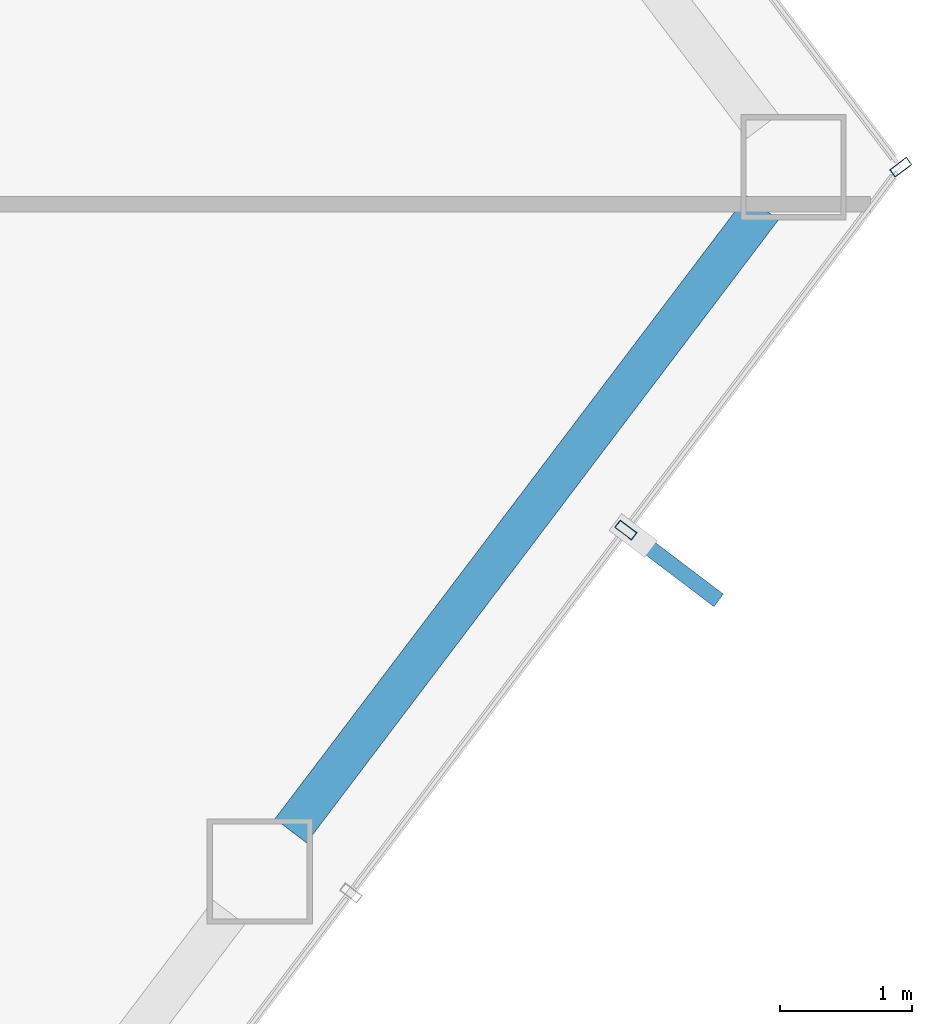
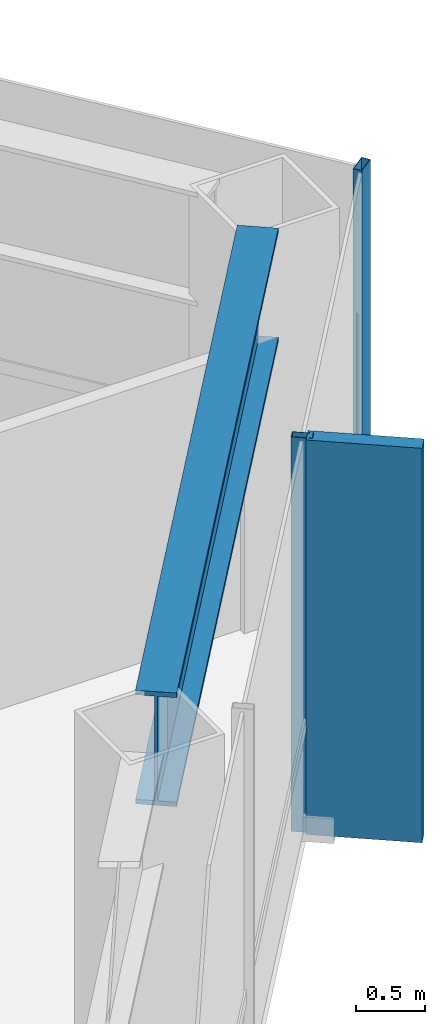
# One storey, part 21 of 28: 3 members, 1 beam, 2 elements without a shape of their own.
"""IFC4 building model written with IfcOpenShell, lengths in metres."""

from ifc_helpers import new_model, si_unit, direction, frame, origin, origin_2d, place, context, subcontext, project, spatial, rectangle, hollow_rectangle, i_section, extrude, material, layer, layer_set, material_profile, profile_set, type_object, element, aggregate, save


model = new_model("IFC4")

# Units and contexts
model_context = context("Model", 3, precision=1e-05, world=origin(), true_north=direction((0.0, 1.0)))
body_context = subcontext(model_context, "Body", "Model", "MODEL_VIEW")
ifc_project = project(units=[si_unit("LENGTHUNIT", "METRE"), si_unit("AREAUNIT", "SQUARE_METRE"), si_unit("VOLUMEUNIT", "CUBIC_METRE"), si_unit("PLANEANGLEUNIT", "RADIAN"), si_unit("MASSUNIT", "GRAM", prefix="KILO")], contexts=[model_context])

# Site, building, storey
site_placement = place(None, origin())
site = spatial("IfcSite", under=ifc_project, at=site_placement, CompositionType="ELEMENT")
building_placement = place(site_placement, origin())
building = spatial("IfcBuilding", under=site, at=building_placement, Name="Zarrinselat Tower", CompositionType="ELEMENT")
storey_placement = place(building_placement, frame((0.0, 0.0, 157.080078125)))
storey = spatial("IfcBuildingStorey", under=building, at=storey_placement, Name="L38", CompositionType="ELEMENT", Elevation=157.080078125)

# Beam
ifc_material_1 = material(Name="Steel S460M", Category="steel")
ifc_material_profile_1 = material_profile(ifc_material_1, i_section(OverallWidth=0.302001953125, OverallDepth=1.008056640625, WebThickness=0.02099609375, FlangeThickness=0.0400390625, at=origin_2d()), Name="HEM 1000")
ifc_profile_set_1 = profile_set([ifc_material_profile_1], Name="Steel S460M")
beam_type = type_object("IfcBeamType", Name="BM-HEM1000", PredefinedType="BEAM", material=ifc_profile_set_1)
beam_placement = place(storey_placement, frame((58.34619140625, 34.741943359375, 2.995849609375), z_axis=(0.603860062149, 0.797090349547, 0.0), x_axis=(-0.797090349547, 0.603860062149, 0.0)))
element("IfcBeam", 1, at=beam_placement, inside=storey, type_object=beam_type, Name="L38 Perimeter Spandrel Girder SP14", PredefinedType="BEAM", context=body_context, shape_type="SweptSolid", body=[
    extrude(i_section(OverallWidth=0.302001953125, OverallDepth=1.008056640625, WebThickness=0.02099609375, FlangeThickness=0.0400390625, at=origin_2d()), origin(), (0.0, 0.0, 1.0), 5.939453125),
])

# Curtain wall, member
ifc_material_2 = material(Name="Extruded Aluminium Alloy EN AW-6063 T6", Category="aluminium")
ifc_layer = layer(ifc_material_2, 0.175048828125)
ifc_layer_set = layer_set([ifc_layer], Name="Extruded Aluminium Alloy EN AW-6063 T6")
curtain_wall_type = type_object("IfcCurtainWallType", Name="CWS-HTL", PredefinedType="NOTDEFINED", material=ifc_layer_set)
curtain_wall_1_placement = place(storey_placement, origin())
curtain_wall_1 = element("IfcCurtainWall", 2, at=curtain_wall_1_placement, inside=storey, type_object=curtain_wall_type, Name="L38 Unitised Curtain Wall CW-L38-E04", PredefinedType="NOTDEFINED")
ifc_material_3 = material(Name="Extruded Aluminium Alloy EN AW-6063 T6", Category="aluminium")
ifc_material_profile_2 = material_profile(ifc_material_3, hollow_rectangle(XDim=0.070068359375, YDim=0.159912109375, WallThickness=0.00390625, at=origin_2d()), Name="RHS 160x70x4")
ifc_profile_set_2 = profile_set([ifc_material_profile_2], Name="Extruded Aluminium Alloy EN AW-6063 T6")
member_type_1 = type_object("IfcMemberType", Name="MEM-CW-MUL2", PredefinedType="MULLION", material=ifc_profile_set_2)
member_1_placement = place(storey_placement, frame((62.982666015625, 39.78564453125, 0.0), z_axis=(0.0, 0.0, 1.0), x_axis=(0.603856343425, -0.797093166766, 0.0)))
member_1 = element("IfcMember", 3, at=member_1_placement, type_object=member_type_1, Name="CW-L38-E04 Mullion 3", PredefinedType="MULLION", context=body_context, shape_type="SweptSolid", body=[
    extrude(hollow_rectangle(XDim=0.070068359375, YDim=0.159912109375, WallThickness=0.00390625, at=origin_2d()), origin(), (0.0, 0.0, 1.0), 3.5),
])
aggregate(curtain_wall_1, [member_1])

# Curtain wall, members
curtain_wall_2_placement = place(storey_placement, origin())
curtain_wall_2 = element("IfcCurtainWall", 4, at=curtain_wall_2_placement, inside=storey, type_object=curtain_wall_type, Name="L38 Unitised Curtain Wall CW-L38-E05", PredefinedType="NOTDEFINED")
member_2_placement = place(storey_placement, frame((60.893310546875, 37.02783203125, 0.0), z_axis=(0.0, 0.0, 1.0), x_axis=(-0.603858522722, -0.797091515785, 0.0)))
member_2 = element("IfcMember", 5, at=member_2_placement, type_object=member_type_1, Name="CW-L38-E05 Mullion 1", PredefinedType="MULLION", context=body_context, shape_type="SweptSolid", body=[
    extrude(hollow_rectangle(XDim=0.070068359375, YDim=0.159912109375, WallThickness=0.00390625, at=origin_2d()), origin(), (0.0, 0.0, 1.0), 3.5),
])
ifc_material_4 = material(Name="Honed Cream Travertine Stone", Category="masonry")
ifc_material_profile_3 = material_profile(ifc_material_4, rectangle(XDim=0.1201171875, YDim=0.85009765625, at=origin_2d()), Name="FIN 850x120")
ifc_profile_set_3 = profile_set([ifc_material_profile_3], Name="Honed Cream Travertine Stone")
member_type_2 = type_object("IfcMemberType", Name="MEM-STONE-FIN", PredefinedType="USERDEFINED", material=ifc_profile_set_3)
member_3_placement = place(storey_placement, frame((61.260009765625, 36.75, 0.0), z_axis=(0.0, 0.0, 1.0), x_axis=(-0.603858522722, -0.797091515785, 0.0)))
member_3 = element("IfcMember", 6, at=member_3_placement, type_object=member_type_2, Name="L38 Stone Shading Fin CW-L38-E05-01", ObjectType="FIN", PredefinedType="USERDEFINED", context=body_context, shape_type="SweptSolid", body=[
    extrude(rectangle(XDim=0.1201171875, YDim=0.85009765625, at=origin_2d()), origin(), (0.0, 0.0, 1.0), 3.5),
])
aggregate(curtain_wall_2, [member_2, member_3])

save(model, "model.ifc")
